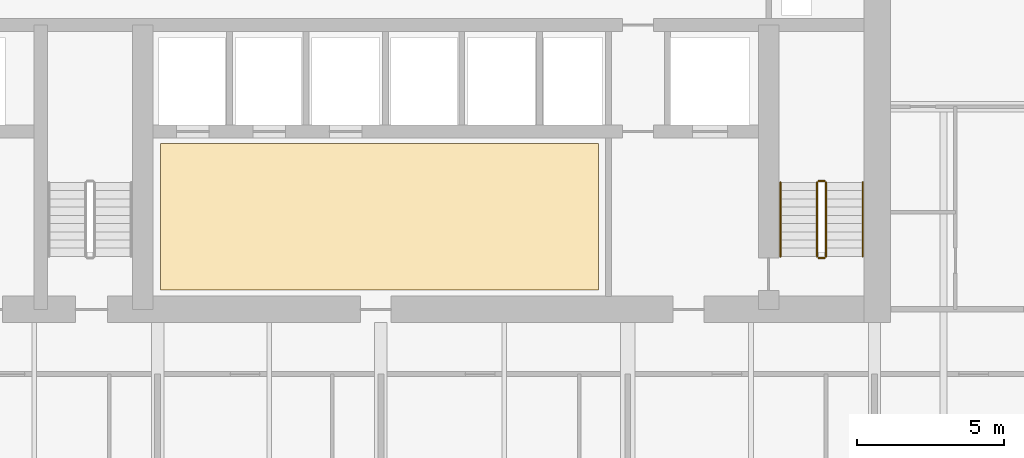
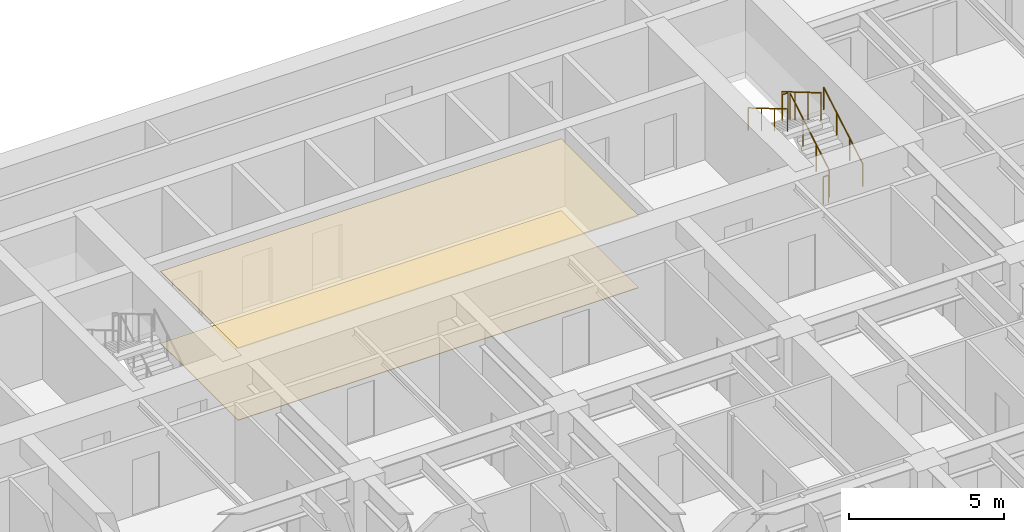
# One storey, part 17 of 18: 6 railings, 2 coverings.
"""IFC4 building model written with IfcOpenShell, lengths in metres."""

from ifc_helpers import new_model, si_unit, direction, frame, origin, origin_2d, place, context, subcontext, project, spatial, polyline, circle, outline, extrude, material, layer, layer_set, type_object, element, save


model = new_model("IFC4")

# Units and contexts
model_context = context("Model", 3, precision=1e-05, world=origin(), true_north=direction((0.0, 1.0)))
body_context = subcontext(model_context, "Body", "Model", "MODEL_VIEW")
ifc_project = project(units=[si_unit("LENGTHUNIT", "METRE"), si_unit("AREAUNIT", "SQUARE_METRE"), si_unit("VOLUMEUNIT", "CUBIC_METRE"), si_unit("PLANEANGLEUNIT", "RADIAN"), si_unit("MASSUNIT", "GRAM", prefix="KILO")], contexts=[model_context])

# Site, building, storey
site_placement = place(None, origin())
site = spatial("IfcSite", under=ifc_project, at=site_placement, CompositionType="ELEMENT")
building_placement = place(site_placement, origin())
building = spatial("IfcBuilding", under=site, at=building_placement, Name="Caelmar Bay Residences", CompositionType="ELEMENT")
storey_placement = place(building_placement, frame((0.0, 0.0, 69.60009765625)))
storey = spatial("IfcBuildingStorey", under=building, at=storey_placement, Name="L18", CompositionType="ELEMENT", Elevation=69.60009765625)

# Coverings
ifc_material_1 = material(Name="Perforated acoustic gypsum-mineral ceiling tile 20 mm")
ifc_layer_1 = layer(ifc_material_1, 0.02001953125)
ifc_layer_set_1 = layer_set([ifc_layer_1], Name="Perforated acoustic gypsum-mineral ceiling tile 20 mm")
covering_type_1 = type_object("IfcCoveringType", Name="COV-CEIL-20", PredefinedType="CEILING", material=ifc_layer_set_1)
covering_1_placement = place(storey_placement, frame((0.0, 0.0, 2.829833984375)))
element("IfcCovering", 1, at=covering_1_placement, inside=storey, type_object=covering_type_1, Name="L18 Lift Lobby Acoustic Ceiling", PredefinedType="CEILING", context=body_context, shape_type="SweptSolid", body=[
    extrude(outline(polyline([(35.199951171875, 37.550048828125), (50.10009765625, 37.550048828125), (50.10009765625, 42.550048828125), (35.199951171875, 42.550048828125), (35.199951171875, 37.550048828125)])), origin(), (0.0, 0.0, 1.0), 0.02001953125),
])
ifc_material_2 = material(Name="Honed terrazzo and engineered white-oak flooring 20 mm")
ifc_layer_2 = layer(ifc_material_2, 0.02001953125)
ifc_layer_set_2 = layer_set([ifc_layer_2], Name="Honed terrazzo and engineered white-oak flooring 20 mm")
covering_type_2 = type_object("IfcCoveringType", Name="COV-FLR-20", PredefinedType="FLOORING", material=ifc_layer_set_2)
covering_2_placement = place(storey_placement, origin())
element("IfcCovering", 2, at=covering_2_placement, inside=storey, type_object=covering_type_2, Name="L18 Lift Lobby Terrazzo Flooring", PredefinedType="FLOORING", context=body_context, shape_type="SweptSolid", body=[
    extrude(outline(polyline([(35.199951171875, 37.550048828125), (50.10009765625, 37.550048828125), (50.10009765625, 42.550048828125), (35.199951171875, 42.550048828125), (35.199951171875, 37.550048828125)])), origin(), (0.0, 0.0, 1.0), 0.02001953125),
])

# Railings
ifc_material_3 = material(Name="Painted galvanized steel stair guard 1100 mm", Category="steel")
railing_type_1 = type_object("IfcRailingType", Name="RL-GRD-1100", PredefinedType="GUARDRAIL", material=ifc_material_3)
railing_1_placement = place(storey_placement, frame((57.85009765625, 38.699951171875, 0.164794921875)))
element("IfcRailing", 3, at=railing_1_placement, inside=storey, type_object=railing_type_1, Name="L18 ST2 stair guard 1", PredefinedType="GUARDRAIL", context=body_context, shape_type="SweptSolid", body=[
    extrude(circle(Radius=0.02392578125, at=origin_2d()), frame((0.0, 0.0, 1.076171875), z_axis=(0.0, 0.86152411907, 0.507716645641), x_axis=(-1.0, 0.0, 0.0)), (0.0, 0.0, 1.0), 2.925048828125),
    extrude(circle(Radius=0.02099609375, at=origin_2d()), origin(), (0.0, 0.0, 1.0), 1.052001953125),
    extrude(circle(Radius=0.02099609375, at=origin_2d()), frame((0.0, 0.840087890625, 0.4951171875)), (0.0, 0.0, 1.0), 1.052001953125),
    extrude(circle(Radius=0.02099609375, at=origin_2d()), frame((0.0, 1.679931640625, 0.989990234375)), (0.0, 0.0, 1.0), 1.052001953125),
    extrude(circle(Radius=0.02099609375, at=origin_2d()), frame((0.0, 2.52001953125, 1.485107421875)), (0.0, 0.0, 1.0), 1.052001953125),
])
railing_2_placement = place(storey_placement, frame((57.800048828125, 41.27001953125, 1.64990234375)))
element("IfcRailing", 4, at=railing_2_placement, inside=storey, type_object=railing_type_1, Name="L18 ST2 stair guard 2", PredefinedType="GUARDRAIL", context=body_context, shape_type="SweptSolid", body=[
    extrude(circle(Radius=0.02392578125, at=origin_2d()), frame((0.0, 0.0, 1.076171875), z_axis=(-1.0, 0.0, 0.0), x_axis=(0.0, -1.0, 0.0)), (0.0, 0.0, 1.0), 0.199951171875),
    extrude(circle(Radius=0.02099609375, at=origin_2d()), origin(), (0.0, 0.0, 1.0), 1.052001953125),
    extrude(circle(Radius=0.02099609375, at=origin_2d()), frame((-0.199951171875, 0.0, 0.0)), (0.0, 0.0, 1.0), 1.052001953125),
])
railing_3_placement = place(storey_placement, frame((57.550048828125, 41.219970703125, 1.81494140625)))
element("IfcRailing", 5, at=railing_3_placement, inside=storey, type_object=railing_type_1, Name="L18 ST2 stair guard 3", PredefinedType="GUARDRAIL", context=body_context, shape_type="SweptSolid", body=[
    extrude(circle(Radius=0.02392578125, at=origin_2d()), frame((0.0, 0.0, 1.076171875), z_axis=(0.0, -0.861560626758, 0.507654692109), x_axis=(1.0, 0.0, 0.0)), (0.0, 0.0, 1.0), 2.925048828125),
    extrude(circle(Radius=0.02099609375, at=origin_2d()), origin(), (0.0, 0.0, 1.0), 1.052001953125),
    extrude(circle(Radius=0.02099609375, at=origin_2d()), frame((0.0, -0.840087890625, 0.494873046875)), (0.0, 0.0, 1.0), 1.052001953125),
    extrude(circle(Radius=0.02099609375, at=origin_2d()), frame((0.0, -1.679931640625, 0.989990234375)), (0.0, 0.0, 1.0), 1.052001953125),
    extrude(circle(Radius=0.02099609375, at=origin_2d()), frame((0.0, -2.52001953125, 1.48486328125)), (0.0, 0.0, 1.0), 1.052001953125),
])
railing_4_placement = place(storey_placement, frame((57.800048828125, 38.64990234375, 0.0)))
element("IfcRailing", 6, at=railing_4_placement, inside=storey, type_object=railing_type_1, Name="L18 ST2 stair guard 4", PredefinedType="GUARDRAIL", context=body_context, shape_type="SweptSolid", body=[
    extrude(circle(Radius=0.02392578125, at=origin_2d()), frame((0.0, 0.0, 1.076171875), z_axis=(-1.0, 0.0, 0.0), x_axis=(0.0, -1.0, 0.0)), (0.0, 0.0, 1.0), 0.199951171875),
    extrude(circle(Radius=0.02099609375, at=origin_2d()), origin(), (0.0, 0.0, 1.0), 1.052001953125),
    extrude(circle(Radius=0.02099609375, at=origin_2d()), frame((-0.199951171875, 0.0, 0.0)), (0.0, 0.0, 1.0), 1.052001953125),
])
ifc_material_4 = material(Name="Brushed bronze stainless-steel tubular handrail 900 mm", Category="steel")
railing_type_2 = type_object("IfcRailingType", Name="RL-HND-900", PredefinedType="HANDRAIL", material=ifc_material_4)
railing_5_placement = place(storey_placement, frame((59.10009765625, 38.699951171875, 0.164794921875)))
element("IfcRailing", 7, at=railing_5_placement, inside=storey, type_object=railing_type_2, Name="L18 ST2 stair handrail 1", PredefinedType="HANDRAIL", context=body_context, shape_type="SweptSolid", body=[
    extrude(circle(Radius=0.02392578125, at=origin_2d()), frame((0.0, 0.0, 0.8759765625), z_axis=(0.0, 0.86152411907, 0.507716645641), x_axis=(-1.0, 0.0, 0.0)), (0.0, 0.0, 1.0), 2.925048828125),
    extrude(circle(Radius=0.02099609375, at=origin_2d()), origin(), (0.0, 0.0, 1.0), 0.851806640625),
    extrude(circle(Radius=0.02099609375, at=origin_2d()), frame((0.0, 0.840087890625, 0.4951171875)), (0.0, 0.0, 1.0), 0.851806640625),
    extrude(circle(Radius=0.02099609375, at=origin_2d()), frame((0.0, 1.679931640625, 0.989990234375)), (0.0, 0.0, 1.0), 0.851806640625),
    extrude(circle(Radius=0.02099609375, at=origin_2d()), frame((0.0, 2.52001953125, 1.485107421875)), (0.0, 0.0, 1.0), 0.851806640625),
])
railing_6_placement = place(storey_placement, frame((56.300048828125, 41.219970703125, 1.81494140625)))
element("IfcRailing", 8, at=railing_6_placement, inside=storey, type_object=railing_type_2, Name="L18 ST2 stair handrail 2", PredefinedType="HANDRAIL", context=body_context, shape_type="SweptSolid", body=[
    extrude(circle(Radius=0.02392578125, at=origin_2d()), frame((0.0, 0.0, 0.8759765625), z_axis=(0.0, -0.861560626758, 0.507654692109), x_axis=(1.0, 0.0, 0.0)), (0.0, 0.0, 1.0), 2.925048828125),
    extrude(circle(Radius=0.02099609375, at=origin_2d()), origin(), (0.0, 0.0, 1.0), 0.851806640625),
    extrude(circle(Radius=0.02099609375, at=origin_2d()), frame((0.0, -0.840087890625, 0.494873046875)), (0.0, 0.0, 1.0), 0.851806640625),
    extrude(circle(Radius=0.02099609375, at=origin_2d()), frame((0.0, -1.679931640625, 0.989990234375)), (0.0, 0.0, 1.0), 0.851806640625),
    extrude(circle(Radius=0.02099609375, at=origin_2d()), frame((0.0, -2.52001953125, 1.48486328125)), (0.0, 0.0, 1.0), 0.851806640625),
])

save(model, "model.ifc")
